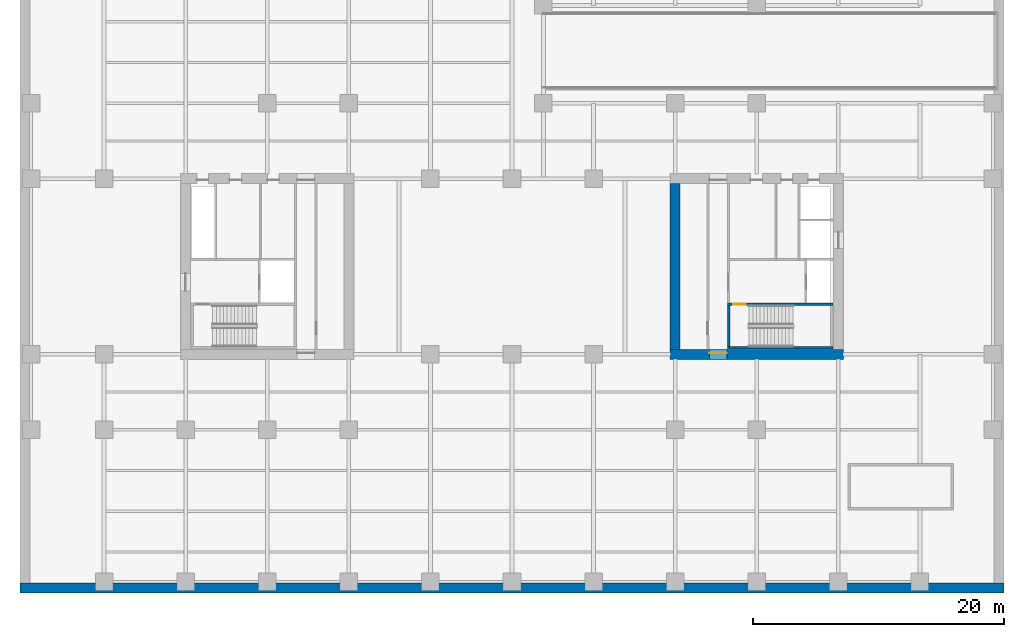
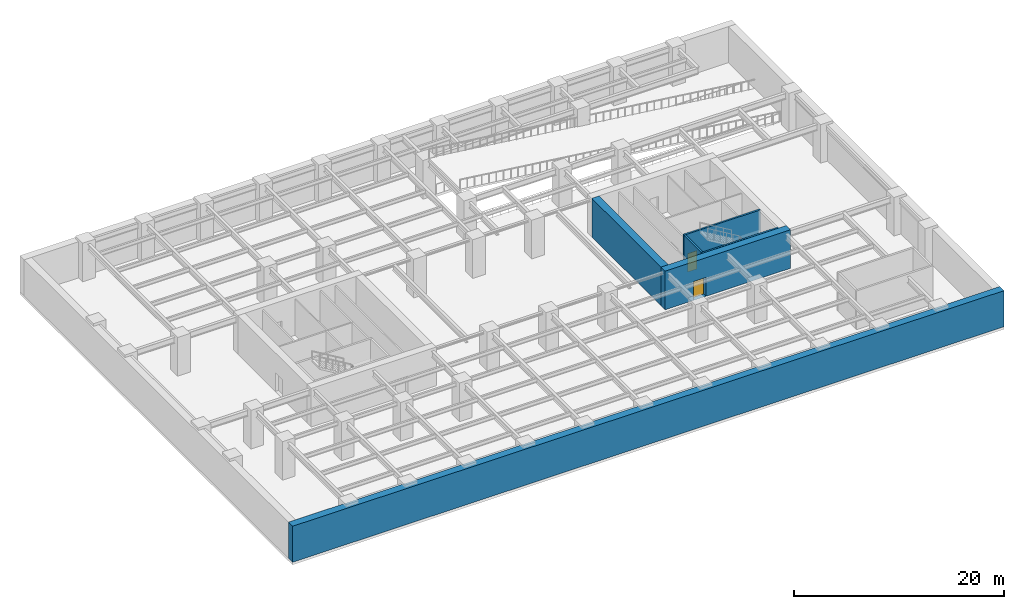
# One storey, part 5 of 10: 6 walls, 2 doors, 2 openings.
"""IFC4 building model written with IfcOpenShell, lengths in metres."""

from ifc_helpers import new_model, si_unit, direction, frame, frame_2d, origin, place, context, subcontext, project, spatial, rectangle, extrude, material, layer, layer_set, type_object, element, fill, save


model = new_model("IFC4")

# Units and contexts
model_context = context("Model", 3, precision=1e-05, world=origin(), true_north=direction((0.0, 1.0)))
body_context = subcontext(model_context, "Body", "Model", "MODEL_VIEW")
ifc_project = project(units=[si_unit("LENGTHUNIT", "METRE"), si_unit("AREAUNIT", "SQUARE_METRE"), si_unit("VOLUMEUNIT", "CUBIC_METRE"), si_unit("PLANEANGLEUNIT", "RADIAN"), si_unit("MASSUNIT", "GRAM", prefix="KILO")], contexts=[model_context])

# Site, building, storey
site_placement = place(None, origin())
site = spatial("IfcSite", under=ifc_project, at=site_placement, CompositionType="ELEMENT")
building_placement = place(site_placement, origin())
building = spatial("IfcBuilding", under=site, at=building_placement, Name="Putna Gate Headquarters", CompositionType="ELEMENT")
storey_placement = place(building_placement, frame((0.0, 0.0, -9.0)))
storey = spatial("IfcBuildingStorey", under=building, at=storey_placement, Name="B02", CompositionType="ELEMENT", Elevation=-9.0)

# Wall, opening, door
ifc_material_1 = material(Name="Concrete C60/75", Category="concrete")
ifc_layer_1 = layer(ifc_material_1, 0.800048828125)
ifc_layer_set_1 = layer_set([ifc_layer_1], Name="Concrete C60/75")
wall_type_1 = type_object("IfcWallType", Name="WALL-CORE-800", PredefinedType="SHEAR", material=ifc_layer_set_1)
wall_1_placement = place(storey_placement, frame((51.60009765625, 19.0, 0.0), z_axis=(0.0, 0.0, 1.0), x_axis=(1.0, 0.0, 0.0)))
wall_1 = element("IfcWall", 1, at=wall_1_placement, inside=storey, type_object=wall_type_1, Name="B02 EC Split Core Shear Wall S", PredefinedType="SHEAR", context=body_context, shape_type="SweptSolid", body=[
    extrude(rectangle(XDim=13.7998046875, YDim=0.800048828125, at=frame_2d((6.89990234375, 0.0))), origin(), (0.0, 0.0, 1.0), 4.5),
])
opening_1_placement = place(wall_1_placement, frame((3.1201171875, 0.0, 0.0)))
opening_1 = element("IfcOpeningElement", 2, at=opening_1_placement, cuts=wall_1, Name="Opening FDD-140", PredefinedType="OPENING", context=body_context, shape_type="SweptSolid", body=[
    extrude(rectangle(XDim=1.39990234375, YDim=2.199951171875, at=frame_2d((0.699951171875, 1.10009765625))), frame((0.0, 0.409912109375, 0.0), z_axis=(0.0, -1.0, 0.0), x_axis=(1.0, 0.0, 0.0)), (0.0, 0.0, 1.0), 0.820068359375),
])
ifc_material_2 = material(Name="Double steel fire door", Category="steel")
door_type_1 = type_object("IfcDoorType", Name="DOOR-FIRE-DBL-1400", OperationType="DOUBLE_DOOR_SINGLE_SWING", PredefinedType="DOOR", material=ifc_material_2)
door_1_placement = place(opening_1_placement, origin())
door_1 = element("IfcDoor", 3, at=door_1_placement, inside=storey, type_object=door_type_1, Name="B02 East Lift Lobby South Door", OperationType="DOUBLE_DOOR_SINGLE_SWING", OverallHeight=2.199951171875, OverallWidth=1.39990234375, PredefinedType="DOOR", context=body_context, shape_type="SweptSolid", body=[
    extrude(rectangle(XDim=1.39990234375, YDim=2.199951171875, at=frame_2d((0.699951171875, 1.10009765625))), frame((0.0, 0.125, 0.0), z_axis=(0.0, -1.0, 0.0), x_axis=(1.0, 0.0, 0.0)), (0.0, 0.0, 1.0), 0.050048828125),
])
fill(opening_1, door_1)

# Walls
wall_2_placement = place(storey_placement, frame((52.0, 19.39990234375, 0.0), z_axis=(0.0, 0.0, 1.0), x_axis=(0.0, 1.0, 0.0)))
element("IfcWall", 4, at=wall_2_placement, inside=storey, type_object=wall_type_1, Name="B02 EC Split Core Shear Wall W", PredefinedType="SHEAR", context=body_context, shape_type="SweptSolid", body=[
    extrude(rectangle(XDim=13.2001953125, YDim=0.800048828125, at=frame_2d((6.60009765625, 0.0))), origin(), (0.0, 0.0, 1.0), 4.5),
])
ifc_material_3 = material(Name="Concrete C40/50", Category="concrete")
ifc_layer_2 = layer(ifc_material_3, 0.800048828125)
ifc_layer_set_2 = layer_set([ifc_layer_2], Name="Concrete C40/50")
wall_type_2 = type_object("IfcWallType", Name="WALL-RET-800", PredefinedType="USERDEFINED", material=ifc_layer_set_2)
wall_3_placement = place(storey_placement, frame((-0.199951171875, 0.39990234375, 0.0), z_axis=(0.0, 0.0, 1.0), x_axis=(1.0, 0.0, 0.0)))
element("IfcWall", 5, at=wall_3_placement, inside=storey, type_object=wall_type_2, Name="B02 Basement Retaining Wall S", ObjectType="RETAININGWALL", PredefinedType="USERDEFINED", context=body_context, shape_type="SweptSolid", body=[
    extrude(rectangle(XDim=78.39990234375, YDim=0.800048828125, at=frame_2d((39.199951171875, 0.0))), origin(), (0.0, 0.0, 1.0), 4.199951171875),
])
ifc_layer_3 = layer(ifc_material_3, 0.199951171875)
ifc_layer_set_3 = layer_set([ifc_layer_3], Name="Concrete C40/50")
wall_type_3 = type_object("IfcWallType", Name="WALL-SHAFT-RC200", PredefinedType="SHEAR", material=ifc_layer_set_3)
wall_4_placement = place(storey_placement, frame((56.159912109375, 19.510009765625, 0.0), z_axis=(0.0, 0.0, 1.0), x_axis=(1.0, 0.0, 0.0)))
element("IfcWall", 6, at=wall_4_placement, inside=storey, type_object=wall_type_3, Name="B02 Stair ST2 Structural Shaft Wall S", PredefinedType="SHEAR", context=body_context, shape_type="SweptSolid", body=[
    extrude(rectangle(XDim=8.43017578125, YDim=0.199951171875, at=frame_2d((4.215087890625, 0.0))), origin(), (0.0, 0.0, 1.0), 4.5),
])

# Wall, opening, door
wall_5_placement = place(storey_placement, frame((56.159912109375, 22.989990234375, 0.0), z_axis=(0.0, 0.0, 1.0), x_axis=(1.0, 0.0, 0.0)))
wall_5 = element("IfcWall", 7, at=wall_5_placement, inside=storey, type_object=wall_type_3, Name="B02 Stair ST2 Structural Shaft Wall N", PredefinedType="SHEAR", context=body_context, shape_type="SweptSolid", body=[
    extrude(rectangle(XDim=8.43017578125, YDim=0.199951171875, at=frame_2d((4.215087890625, 0.0))), origin(), (0.0, 0.0, 1.0), 4.5),
])
opening_2_placement = place(wall_5_placement, frame((0.449951171875, 0.0, 0.0)))
opening_2 = element("IfcOpeningElement", 8, at=opening_2_placement, cuts=wall_5, Name="Opening FD-100", PredefinedType="OPENING", context=body_context, shape_type="SweptSolid", body=[
    extrude(rectangle(XDim=1.0, YDim=2.14990234375, at=frame_2d((0.5, 1.074951171875))), frame((0.0, 0.10986328125, 0.0), z_axis=(0.0, -1.0, 0.0), x_axis=(1.0, 0.0, 0.0)), (0.0, 0.0, 1.0), 0.219970703125),
])
ifc_material_4 = material(Name="Powder-coated steel fire door", Category="steel")
door_type_2 = type_object("IfcDoorType", Name="DOOR-FIRE-1000", OperationType="NOTDEFINED", PredefinedType="DOOR", material=ifc_material_4)
door_2_placement = place(opening_2_placement, origin())
door_2 = element("IfcDoor", 9, at=door_2_placement, inside=storey, type_object=door_type_2, Name="B02 Stair ST2 Fire Door", OperationType="SINGLE_SWING_RIGHT", OverallHeight=2.14990234375, OverallWidth=1.0, PredefinedType="DOOR", context=body_context, shape_type="SweptSolid", body=[
    extrude(rectangle(XDim=1.0, YDim=2.14990234375, at=frame_2d((0.5, 1.074951171875))), frame((0.0, 0.02490234375, 0.0), z_axis=(0.0, -1.0, 0.0), x_axis=(1.0, 0.0, 0.0)), (0.0, 0.0, 1.0), 0.050048828125),
])
fill(opening_2, door_2)

# Wall
wall_6_placement = place(storey_placement, frame((56.260009765625, 19.610107421875, 0.0), z_axis=(0.0, 0.0, 1.0), x_axis=(0.0, 1.0, 0.0)))
element("IfcWall", 10, at=wall_6_placement, inside=storey, type_object=wall_type_3, Name="B02 Stair ST2 Structural Shaft Wall W", PredefinedType="SHEAR", context=body_context, shape_type="SweptSolid", body=[
    extrude(rectangle(XDim=3.27978515625, YDim=0.199951171875, at=frame_2d((1.639892578125, 0.0))), origin(), (0.0, 0.0, 1.0), 4.5),
])

save(model, "model.ifc")
